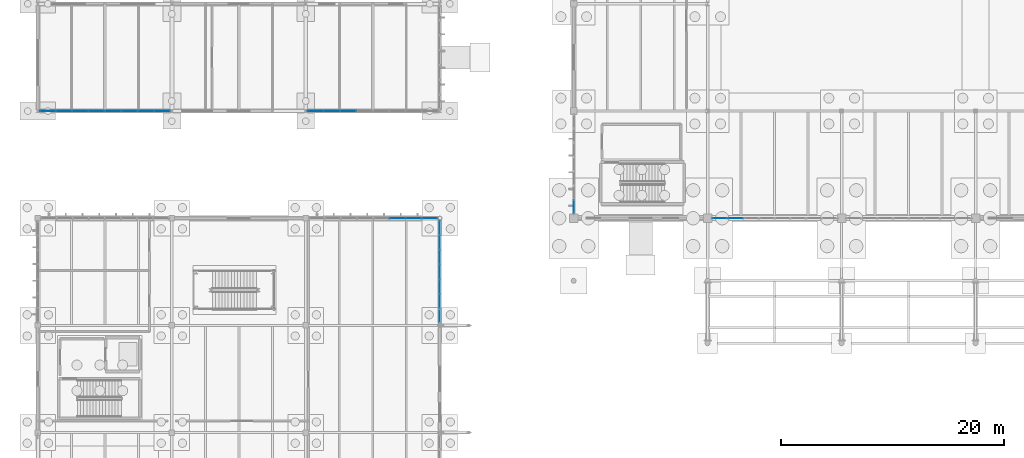
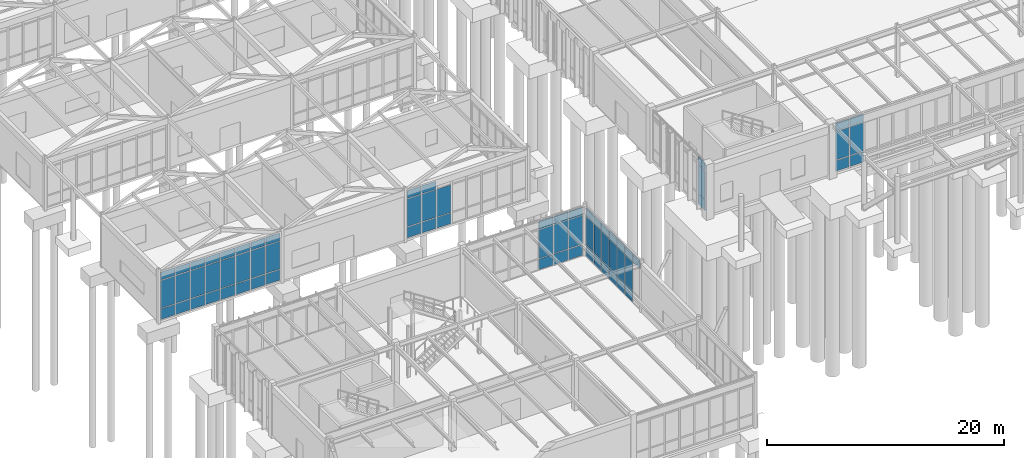
# One storey, part 130 of 188: 69 plates, 6 elements without a shape of their own.
"""IFC4 building model written with IfcOpenShell, lengths in metres."""

import ifcopenshell
import ifcopenshell.guid

model = None  # the IFC model being written
_history = None  # IfcOwnerHistory: only IFC2X3 demands one
_inside = {}  # id of a spatial element -> (the spatial element, [elements in it])
_under = {}  # id of a project, library or spatial element -> (it, [spatial elements below it])
_declared = {}  # id of a project -> (the project, [libraries it declares])
_typed = {}  # id of a type object -> (the type object, [elements of that type])
_made_of = {}  # id of a material, layer set ... -> (it, [elements and type objects made of it])


def new_model(schema):
    """Start an empty IFC model of exactly this schema.

    Asked for "IFC4X3", IfcOpenShell would pick the latest addendum, in which some entities
    have other attributes; the version numbers below select the first issue.
    IFC2X3 requires an IfcOwnerHistory on every rooted entity: one is made here for all.
    """
    global model, _history
    if schema == "IFC4X3":
        model = ifcopenshell.file(schema_version=(4, 3, 0, 0))
    else:
        model = ifcopenshell.file(schema=schema)
    _inside.clear()
    _under.clear()
    _declared.clear()
    _typed.clear()
    _made_of.clear()
    _history = None
    if model.schema == "IFC2X3":
        org = make("IfcOrganization", Name="unknown")
        user = make(
            "IfcPersonAndOrganization",
            ThePerson=make("IfcPerson", FamilyName="unknown"),
            TheOrganization=org,
        )
        app = make(
            "IfcApplication",
            ApplicationDeveloper=org,
            Version="unknown",
            ApplicationFullName="unknown",
            ApplicationIdentifier="unknown",
        )
        _history = make(
            "IfcOwnerHistory",
            OwningUser=user,
            OwningApplication=app,
            ChangeAction="ADDED",
            CreationDate=0,
        )
    return model


def make(cls, **values):
    """One entity of the class cls with the attributes given. An attribute that is None is left unset."""
    return model.create_entity(
        cls, **{name: value for name, value in values.items() if value is not None}
    )


def rooted(cls, **values):
    """An entity with a GlobalId (a new one), such as an element, a storey or a relation."""
    return make(cls, GlobalId=ifcopenshell.guid.new(), OwnerHistory=_history, **values)


def si_unit(unit_type, name, prefix=None):
    """IfcSIUnit, for example si_unit("LENGTHUNIT", "METRE", prefix="MILLI")."""
    return make("IfcSIUnit", UnitType=unit_type, Prefix=prefix, Name=name)


def assignment(units):
    """IfcUnitAssignment: the units of a project."""
    return None if units is None else make("IfcUnitAssignment", Units=units)


def point(xyz):
    """IfcCartesianPoint."""
    return None if xyz is None else make("IfcCartesianPoint", Coordinates=xyz)


def direction(xyz):
    """IfcDirection."""
    return None if xyz is None else make("IfcDirection", DirectionRatios=xyz)


def frame(location, z_axis=None, x_axis=None):
    """IfcAxis2Placement3D, a coordinate frame: its origin and axes. An axis left out is left unset."""
    return make(
        "IfcAxis2Placement3D",
        Location=point(location),
        Axis=direction(z_axis),
        RefDirection=direction(x_axis),
    )


def frame_2d(location, x_axis=None):
    """IfcAxis2Placement2D, a coordinate frame in the plane: its origin and x axis."""
    return make(
        "IfcAxis2Placement2D", Location=point(location), RefDirection=direction(x_axis)
    )


def origin():
    """The frame at (0, 0, 0) with its axes left unset."""
    return frame((0.0, 0.0, 0.0))


def origin_2d():
    """The frame at (0, 0) in the plane with its x axis left unset."""
    return frame_2d((0.0, 0.0))


def place(relative_to, where):
    """IfcLocalPlacement: puts the frame where relative to a parent placement (None: the world)."""
    return make(
        "IfcLocalPlacement", PlacementRelTo=relative_to, RelativePlacement=where
    )


def context(
    kind, dimensions, precision=None, world=None, true_north=None, identifier=None
):
    """IfcGeometricRepresentationContext, for example the 3D "Model" context."""
    return make(
        "IfcGeometricRepresentationContext",
        ContextIdentifier=identifier,
        ContextType=kind,
        CoordinateSpaceDimension=dimensions,
        Precision=precision,
        WorldCoordinateSystem=world,
        TrueNorth=true_north,
    )


def subcontext(parent, identifier, kind, view, scale=None):
    """IfcGeometricRepresentationSubContext, for example "Body" below "Model"."""
    return make(
        "IfcGeometricRepresentationSubContext",
        ContextIdentifier=identifier,
        ContextType=kind,
        ParentContext=parent,
        TargetScale=scale,
        TargetView=view,
    )


def project(units=None, contexts=None):
    """IfcProject with its units and contexts."""
    return rooted(
        "IfcProject",
        Name="project",
        RepresentationContexts=contexts,
        UnitsInContext=assignment(units),
    )


def spatial(cls, under=None, at=None, **own):
    """A site, building, storey or space (cls), placed at a placement, below another one or the project."""
    s = rooted(cls, ObjectPlacement=at, **own)
    if under is not None:
        _under.setdefault(under.id(), (under, []))[1].append(s)
    return s


def profile(cls, at=None, kind="AREA", **sizes):
    """A parametric profile (cls). Its sizes go by their IFC names, for example OverallWidth=200.0."""
    return make(cls, ProfileType=kind, Position=at, **sizes)


def rectangle(**sizes):
    """IfcRectangleProfileDef."""
    return profile("IfcRectangleProfileDef", **sizes)


def extrude(swept, where, along, depth):
    """IfcExtrudedAreaSolid: the profile swept, set in the frame where, extruded along a direction by depth."""
    return make(
        "IfcExtrudedAreaSolid",
        SweptArea=swept,
        Position=where,
        ExtrudedDirection=direction(along),
        Depth=depth,
    )


def shape(context_of_items, identifier, shape_type, items):
    """IfcShapeRepresentation: the items that make up one representation, for example the "Body"."""
    return make(
        "IfcShapeRepresentation",
        ContextOfItems=context_of_items,
        RepresentationIdentifier=identifier,
        RepresentationType=shape_type,
        Items=items,
    )


def material(Name=None, Category=None):
    """IfcMaterial."""
    return make("IfcMaterial", Name=Name, Category=Category)


def layer(
    of_material, thickness, ventilated=None, Name=None, Category=None, Priority=None
):
    """IfcMaterialLayer: one layer of a wall or slab, of a material (None: an air gap)."""
    return make(
        "IfcMaterialLayer",
        Material=of_material,
        LayerThickness=thickness,
        IsVentilated=ventilated,
        Name=Name,
        Category=Category,
        Priority=Priority,
    )


def layer_set(layers, Name=None):
    """IfcMaterialLayerSet."""
    return make("IfcMaterialLayerSet", MaterialLayers=layers, LayerSetName=Name)


def made_of(thing, what):
    """Note that an element or type object is made of a material, layer set ...; save() writes the relation."""
    if what is not None:
        _made_of.setdefault(what.id(), (what, []))[1].append(thing)
    return thing


def type_object(cls, material=None, **own):
    """A type object (cls), such as IfcWallType, which elements share."""
    return made_of(rooted(cls, **own), material)


def element(
    cls,
    number,
    at=None,
    inside=None,
    cuts=None,
    type_object=None,
    material=None,
    context=None,
    identifier="Body",
    shape_type=None,
    held_by="IfcProductDefinitionShape",
    body=None,
    shapes=None,
    **own,
):
    """One element of the class cls, such as IfcWall. Its Tag is "e" and its number.

    at: its placement. inside: the storey or other place that contains it. cuts: it is an
    opening in that element (IfcRelVoidsElement). A single representation is given by context,
    identifier, shape_type and body (its items); several are given by shapes. held_by: the class
    of the entity that holds the representations. save() writes the other relations.
    """
    e = rooted(cls, Tag="e%d" % number, ObjectPlacement=at, **own)
    if body is not None:
        shapes = [shape(context, identifier, shape_type, body)]
    if shapes is not None:
        e.Representation = make(held_by, Representations=shapes)
    if inside is not None:
        _inside.setdefault(inside.id(), (inside, []))[1].append(e)
    if cuts is not None:
        rooted(
            "IfcRelVoidsElement", RelatingBuildingElement=cuts, RelatedOpeningElement=e
        )
    if type_object is not None:
        _typed.setdefault(type_object.id(), (type_object, []))[1].append(e)
    return made_of(e, material)


def aggregate(whole, parts):
    """IfcRelAggregates: a whole, such as a stair, and the parts it consists of."""
    return rooted("IfcRelAggregates", RelatingObject=whole, RelatedObjects=parts)


def save(model, path):
    """Write the relations noted so far, then the file.

    IfcRelAggregates (storeys below a building ...), IfcRelContainedInSpatialStructure (elements
    in a storey), IfcRelDefinesByType, IfcRelAssociatesMaterial and IfcRelDeclares: one each for
    every whole, place, type object, material and project.
    """
    for whole, parts in _under.values():
        aggregate(whole, parts)
    for where, things in _inside.values():
        rooted(
            "IfcRelContainedInSpatialStructure",
            RelatedElements=things,
            RelatingStructure=where,
        )
    for kind, things in _typed.values():
        rooted("IfcRelDefinesByType", RelatedObjects=things, RelatingType=kind)
    for what, things in _made_of.values():
        rooted("IfcRelAssociatesMaterial", RelatedObjects=things, RelatingMaterial=what)
    for by, libraries in _declared.values():
        rooted("IfcRelDeclares", RelatingContext=by, RelatedDefinitions=libraries)
    model.write(path)


model = new_model("IFC4")

# Units and contexts
model_context = context("Model", 3, precision=1e-05, world=origin(), true_north=direction((0.0, 1.0)))
body_context = subcontext(model_context, "Body", "Model", "MODEL_VIEW")
ifc_project = project(units=[si_unit("LENGTHUNIT", "METRE"), si_unit("AREAUNIT", "SQUARE_METRE"), si_unit("VOLUMEUNIT", "CUBIC_METRE"), si_unit("PLANEANGLEUNIT", "RADIAN"), si_unit("MASSUNIT", "GRAM", prefix="KILO")], contexts=[model_context])

# Site, building, storey
site_placement = place(None, origin())
site = spatial("IfcSite", under=ifc_project, at=site_placement, CompositionType="ELEMENT")
building_placement = place(site_placement, origin())
building = spatial("IfcBuilding", under=site, at=building_placement, Name="Pandanus Reach Market Hall", CompositionType="ELEMENT")
storey_placement = place(building_placement, origin())
storey = spatial("IfcBuildingStorey", under=building, at=storey_placement, Name="L00", CompositionType="ELEMENT", Elevation=0.0)

# Curtain wall, plates
ifc_material_1 = material(Name="Bronze anodised aluminium and low-E glass", Category="aluminium")
ifc_layer_1 = layer(ifc_material_1, 0.159912109375, Name="CW-07")
ifc_layer_set_1 = layer_set([ifc_layer_1], Name="Bronze anodised aluminium and low-E glass")
curtain_wall_type_1 = type_object("IfcCurtainWallType", Name="CW-07", PredefinedType="NOTDEFINED", material=ifc_layer_set_1)
curtain_wall_1_placement = place(storey_placement, origin())
curtain_wall_1 = element("IfcCurtainWall", 1, at=curtain_wall_1_placement, inside=storey, type_object=curtain_wall_type_1, Name="Glazed curtain wall CW-07 CW-0038", PredefinedType="NOTDEFINED")
ifc_material_2 = material(Name="Solar-control double glazing", Category="glass")
ifc_layer_2 = layer(ifc_material_2, 0.028076171875, Name="CW-P1")
ifc_layer_set_2 = layer_set([ifc_layer_2], Name="Solar-control double glazing")
plate_type_1 = type_object("IfcPlateType", Name="CW-P1", PredefinedType="CURTAIN_PANEL", material=ifc_layer_set_2)
plate_1_placement = place(storey_placement, frame((0.87744140625, 38.39990234375, 0.06494140625), z_axis=(0.0, 0.0, 1.0), x_axis=(1.0, 0.0, 0.0)))
plate_1 = element("IfcPlate", 2, at=plate_1_placement, type_object=plate_type_1, Name="CW-07 panel 1.1", PredefinedType="CURTAIN_PANEL", context=body_context, shape_type="SweptSolid", body=[
    extrude(rectangle(XDim=1.370849609375, YDim=0.028076171875, at=origin_2d()), origin(), (0.0, 0.0, 1.0), 1.1025390625),
])
plate_2_placement = place(storey_placement, frame((0.87744140625, 38.39990234375, 1.232421875), z_axis=(0.0, 0.0, 1.0), x_axis=(1.0, 0.0, 0.0)))
plate_2 = element("IfcPlate", 3, at=plate_2_placement, type_object=plate_type_1, Name="CW-07 panel 1.2", PredefinedType="CURTAIN_PANEL", context=body_context, shape_type="SweptSolid", body=[
    extrude(rectangle(XDim=1.370849609375, YDim=0.028076171875, at=origin_2d()), origin(), (0.0, 0.0, 1.0), 2.8349609375),
])
plate_3_placement = place(storey_placement, frame((0.87744140625, 38.39990234375, 4.13232421875), z_axis=(0.0, 0.0, 1.0), x_axis=(1.0, 0.0, 0.0)))
plate_3 = element("IfcPlate", 4, at=plate_3_placement, type_object=plate_type_1, Name="CW-07 panel 1.3", PredefinedType="CURTAIN_PANEL", context=body_context, shape_type="SweptSolid", body=[
    extrude(rectangle(XDim=1.370849609375, YDim=0.028076171875, at=origin_2d()), origin(), (0.0, 0.0, 1.0), 0.802490234375),
])
plate_4_placement = place(storey_placement, frame((2.329345703125, 38.39990234375, 0.06494140625), z_axis=(0.0, 0.0, 1.0), x_axis=(1.0, 0.0, 0.0)))
plate_4 = element("IfcPlate", 5, at=plate_4_placement, type_object=plate_type_1, Name="CW-07 panel 2.1", PredefinedType="CURTAIN_PANEL", context=body_context, shape_type="SweptSolid", body=[
    extrude(rectangle(XDim=1.4033203125, YDim=0.028076171875, at=origin_2d()), origin(), (0.0, 0.0, 1.0), 1.1025390625),
])
plate_5_placement = place(storey_placement, frame((2.329345703125, 38.39990234375, 1.232421875), z_axis=(0.0, 0.0, 1.0), x_axis=(1.0, 0.0, 0.0)))
plate_5 = element("IfcPlate", 6, at=plate_5_placement, type_object=plate_type_1, Name="CW-07 panel 2.2", PredefinedType="CURTAIN_PANEL", context=body_context, shape_type="SweptSolid", body=[
    extrude(rectangle(XDim=1.4033203125, YDim=0.028076171875, at=origin_2d()), origin(), (0.0, 0.0, 1.0), 2.8349609375),
])
plate_6_placement = place(storey_placement, frame((2.329345703125, 38.39990234375, 4.13232421875), z_axis=(0.0, 0.0, 1.0), x_axis=(1.0, 0.0, 0.0)))
plate_6 = element("IfcPlate", 7, at=plate_6_placement, type_object=plate_type_1, Name="CW-07 panel 2.3", PredefinedType="CURTAIN_PANEL", context=body_context, shape_type="SweptSolid", body=[
    extrude(rectangle(XDim=1.4033203125, YDim=0.028076171875, at=origin_2d()), origin(), (0.0, 0.0, 1.0), 0.802490234375),
])
plate_7_placement = place(storey_placement, frame((3.797607421875, 38.39990234375, 0.06494140625), z_axis=(0.0, 0.0, 1.0), x_axis=(1.0, 0.0, 0.0)))
plate_7 = element("IfcPlate", 8, at=plate_7_placement, type_object=plate_type_1, Name="CW-07 panel 3.1", PredefinedType="CURTAIN_PANEL", context=body_context, shape_type="SweptSolid", body=[
    extrude(rectangle(XDim=1.4033203125, YDim=0.028076171875, at=origin_2d()), origin(), (0.0, 0.0, 1.0), 1.1025390625),
])
plate_8_placement = place(storey_placement, frame((3.797607421875, 38.39990234375, 1.232421875), z_axis=(0.0, 0.0, 1.0), x_axis=(1.0, 0.0, 0.0)))
plate_8 = element("IfcPlate", 9, at=plate_8_placement, type_object=plate_type_1, Name="CW-07 panel 3.2", PredefinedType="CURTAIN_PANEL", context=body_context, shape_type="SweptSolid", body=[
    extrude(rectangle(XDim=1.4033203125, YDim=0.028076171875, at=origin_2d()), origin(), (0.0, 0.0, 1.0), 2.8349609375),
])
plate_9_placement = place(storey_placement, frame((3.797607421875, 38.39990234375, 4.13232421875), z_axis=(0.0, 0.0, 1.0), x_axis=(1.0, 0.0, 0.0)))
plate_9 = element("IfcPlate", 10, at=plate_9_placement, type_object=plate_type_1, Name="CW-07 panel 3.3", PredefinedType="CURTAIN_PANEL", context=body_context, shape_type="SweptSolid", body=[
    extrude(rectangle(XDim=1.4033203125, YDim=0.028076171875, at=origin_2d()), origin(), (0.0, 0.0, 1.0), 0.802490234375),
])
plate_10_placement = place(storey_placement, frame((5.265869140625, 38.39990234375, 0.06494140625), z_axis=(0.0, 0.0, 1.0), x_axis=(1.0, 0.0, 0.0)))
plate_10 = element("IfcPlate", 11, at=plate_10_placement, type_object=plate_type_1, Name="CW-07 panel 4.1", PredefinedType="CURTAIN_PANEL", context=body_context, shape_type="SweptSolid", body=[
    extrude(rectangle(XDim=1.4033203125, YDim=0.028076171875, at=origin_2d()), origin(), (0.0, 0.0, 1.0), 1.1025390625),
])
plate_11_placement = place(storey_placement, frame((5.265869140625, 38.39990234375, 1.232421875), z_axis=(0.0, 0.0, 1.0), x_axis=(1.0, 0.0, 0.0)))
plate_11 = element("IfcPlate", 12, at=plate_11_placement, type_object=plate_type_1, Name="CW-07 panel 4.2", PredefinedType="CURTAIN_PANEL", context=body_context, shape_type="SweptSolid", body=[
    extrude(rectangle(XDim=1.4033203125, YDim=0.028076171875, at=origin_2d()), origin(), (0.0, 0.0, 1.0), 2.8349609375),
])
plate_12_placement = place(storey_placement, frame((5.265869140625, 38.39990234375, 4.13232421875), z_axis=(0.0, 0.0, 1.0), x_axis=(1.0, 0.0, 0.0)))
plate_12 = element("IfcPlate", 13, at=plate_12_placement, type_object=plate_type_1, Name="CW-07 panel 4.3", PredefinedType="CURTAIN_PANEL", context=body_context, shape_type="SweptSolid", body=[
    extrude(rectangle(XDim=1.4033203125, YDim=0.028076171875, at=origin_2d()), origin(), (0.0, 0.0, 1.0), 0.802490234375),
])
plate_13_placement = place(storey_placement, frame((6.734130859375, 38.39990234375, 0.06494140625), z_axis=(0.0, 0.0, 1.0), x_axis=(1.0, 0.0, 0.0)))
plate_13 = element("IfcPlate", 14, at=plate_13_placement, type_object=plate_type_1, Name="CW-07 panel 5.1", PredefinedType="CURTAIN_PANEL", context=body_context, shape_type="SweptSolid", body=[
    extrude(rectangle(XDim=1.4033203125, YDim=0.028076171875, at=origin_2d()), origin(), (0.0, 0.0, 1.0), 1.1025390625),
])
plate_14_placement = place(storey_placement, frame((6.734130859375, 38.39990234375, 1.232421875), z_axis=(0.0, 0.0, 1.0), x_axis=(1.0, 0.0, 0.0)))
plate_14 = element("IfcPlate", 15, at=plate_14_placement, type_object=plate_type_1, Name="CW-07 panel 5.2", PredefinedType="CURTAIN_PANEL", context=body_context, shape_type="SweptSolid", body=[
    extrude(rectangle(XDim=1.4033203125, YDim=0.028076171875, at=origin_2d()), origin(), (0.0, 0.0, 1.0), 2.8349609375),
])
plate_15_placement = place(storey_placement, frame((6.734130859375, 38.39990234375, 4.13232421875), z_axis=(0.0, 0.0, 1.0), x_axis=(1.0, 0.0, 0.0)))
plate_15 = element("IfcPlate", 16, at=plate_15_placement, type_object=plate_type_1, Name="CW-07 panel 5.3", PredefinedType="CURTAIN_PANEL", context=body_context, shape_type="SweptSolid", body=[
    extrude(rectangle(XDim=1.4033203125, YDim=0.028076171875, at=origin_2d()), origin(), (0.0, 0.0, 1.0), 0.802490234375),
])
plate_16_placement = place(storey_placement, frame((8.202392578125, 38.39990234375, 0.06494140625), z_axis=(0.0, 0.0, 1.0), x_axis=(1.0, 0.0, 0.0)))
plate_16 = element("IfcPlate", 17, at=plate_16_placement, type_object=plate_type_1, Name="CW-07 panel 6.1", PredefinedType="CURTAIN_PANEL", context=body_context, shape_type="SweptSolid", body=[
    extrude(rectangle(XDim=1.4033203125, YDim=0.028076171875, at=origin_2d()), origin(), (0.0, 0.0, 1.0), 1.1025390625),
])
plate_17_placement = place(storey_placement, frame((8.202392578125, 38.39990234375, 1.232421875), z_axis=(0.0, 0.0, 1.0), x_axis=(1.0, 0.0, 0.0)))
plate_17 = element("IfcPlate", 18, at=plate_17_placement, type_object=plate_type_1, Name="CW-07 panel 6.2", PredefinedType="CURTAIN_PANEL", context=body_context, shape_type="SweptSolid", body=[
    extrude(rectangle(XDim=1.4033203125, YDim=0.028076171875, at=origin_2d()), origin(), (0.0, 0.0, 1.0), 2.8349609375),
])
plate_18_placement = place(storey_placement, frame((8.202392578125, 38.39990234375, 4.13232421875), z_axis=(0.0, 0.0, 1.0), x_axis=(1.0, 0.0, 0.0)))
plate_18 = element("IfcPlate", 19, at=plate_18_placement, type_object=plate_type_1, Name="CW-07 panel 6.3", PredefinedType="CURTAIN_PANEL", context=body_context, shape_type="SweptSolid", body=[
    extrude(rectangle(XDim=1.4033203125, YDim=0.028076171875, at=origin_2d()), origin(), (0.0, 0.0, 1.0), 0.802490234375),
])
plate_19_placement = place(storey_placement, frame((9.670654296875, 38.39990234375, 0.06494140625), z_axis=(0.0, 0.0, 1.0), x_axis=(1.0, 0.0, 0.0)))
plate_19 = element("IfcPlate", 20, at=plate_19_placement, type_object=plate_type_1, Name="CW-07 panel 7.1", PredefinedType="CURTAIN_PANEL", context=body_context, shape_type="SweptSolid", body=[
    extrude(rectangle(XDim=1.4033203125, YDim=0.028076171875, at=origin_2d()), origin(), (0.0, 0.0, 1.0), 1.1025390625),
])
plate_20_placement = place(storey_placement, frame((9.670654296875, 38.39990234375, 1.232421875), z_axis=(0.0, 0.0, 1.0), x_axis=(1.0, 0.0, 0.0)))
plate_20 = element("IfcPlate", 21, at=plate_20_placement, type_object=plate_type_1, Name="CW-07 panel 7.2", PredefinedType="CURTAIN_PANEL", context=body_context, shape_type="SweptSolid", body=[
    extrude(rectangle(XDim=1.4033203125, YDim=0.028076171875, at=origin_2d()), origin(), (0.0, 0.0, 1.0), 2.8349609375),
])
plate_21_placement = place(storey_placement, frame((9.670654296875, 38.39990234375, 4.13232421875), z_axis=(0.0, 0.0, 1.0), x_axis=(1.0, 0.0, 0.0)))
plate_21 = element("IfcPlate", 22, at=plate_21_placement, type_object=plate_type_1, Name="CW-07 panel 7.3", PredefinedType="CURTAIN_PANEL", context=body_context, shape_type="SweptSolid", body=[
    extrude(rectangle(XDim=1.4033203125, YDim=0.028076171875, at=origin_2d()), origin(), (0.0, 0.0, 1.0), 0.802490234375),
])
plate_22_placement = place(storey_placement, frame((11.12255859375, 38.39990234375, 0.06494140625), z_axis=(0.0, 0.0, 1.0), x_axis=(1.0, 0.0, 0.0)))
plate_22 = element("IfcPlate", 23, at=plate_22_placement, type_object=plate_type_1, Name="CW-07 panel 8.1", PredefinedType="CURTAIN_PANEL", context=body_context, shape_type="SweptSolid", body=[
    extrude(rectangle(XDim=1.370849609375, YDim=0.028076171875, at=origin_2d()), origin(), (0.0, 0.0, 1.0), 1.1025390625),
])
plate_23_placement = place(storey_placement, frame((11.12255859375, 38.39990234375, 1.232421875), z_axis=(0.0, 0.0, 1.0), x_axis=(1.0, 0.0, 0.0)))
plate_23 = element("IfcPlate", 24, at=plate_23_placement, type_object=plate_type_1, Name="CW-07 panel 8.2", PredefinedType="CURTAIN_PANEL", context=body_context, shape_type="SweptSolid", body=[
    extrude(rectangle(XDim=1.370849609375, YDim=0.028076171875, at=origin_2d()), origin(), (0.0, 0.0, 1.0), 2.8349609375),
])
plate_24_placement = place(storey_placement, frame((11.12255859375, 38.39990234375, 4.13232421875), z_axis=(0.0, 0.0, 1.0), x_axis=(1.0, 0.0, 0.0)))
plate_24 = element("IfcPlate", 25, at=plate_24_placement, type_object=plate_type_1, Name="CW-07 panel 8.3", PredefinedType="CURTAIN_PANEL", context=body_context, shape_type="SweptSolid", body=[
    extrude(rectangle(XDim=1.370849609375, YDim=0.028076171875, at=origin_2d()), origin(), (0.0, 0.0, 1.0), 0.802490234375),
])
aggregate(curtain_wall_1, [plate_1, plate_2, plate_3, plate_4, plate_5, plate_6, plate_7, plate_8, plate_9, plate_10, plate_11, plate_12, plate_13, plate_14, plate_15, plate_16, plate_17, plate_18, plate_19, plate_20, plate_21, plate_22, plate_23, plate_24])

curtain_wall_2_placement = place(storey_placement, origin())
curtain_wall_2 = element("IfcCurtainWall", 26, at=curtain_wall_2_placement, inside=storey, type_object=curtain_wall_type_1, Name="Glazed curtain wall CW-07 CW-0039", PredefinedType="NOTDEFINED")
plate_25_placement = place(storey_placement, frame((24.87744140625, 38.39990234375, 0.06494140625), z_axis=(0.0, 0.0, 1.0), x_axis=(1.0, 0.0, 0.0)))
plate_25 = element("IfcPlate", 27, at=plate_25_placement, type_object=plate_type_1, Name="CW-07 panel 1.1", PredefinedType="CURTAIN_PANEL", context=body_context, shape_type="SweptSolid", body=[
    extrude(rectangle(XDim=1.370849609375, YDim=0.028076171875, at=origin_2d()), origin(), (0.0, 0.0, 1.0), 1.1025390625),
])
plate_26_placement = place(storey_placement, frame((24.87744140625, 38.39990234375, 1.232421875), z_axis=(0.0, 0.0, 1.0), x_axis=(1.0, 0.0, 0.0)))
plate_26 = element("IfcPlate", 28, at=plate_26_placement, type_object=plate_type_1, Name="CW-07 panel 1.2", PredefinedType="CURTAIN_PANEL", context=body_context, shape_type="SweptSolid", body=[
    extrude(rectangle(XDim=1.370849609375, YDim=0.028076171875, at=origin_2d()), origin(), (0.0, 0.0, 1.0), 2.8349609375),
])
plate_27_placement = place(storey_placement, frame((24.87744140625, 38.39990234375, 4.13232421875), z_axis=(0.0, 0.0, 1.0), x_axis=(1.0, 0.0, 0.0)))
plate_27 = element("IfcPlate", 29, at=plate_27_placement, type_object=plate_type_1, Name="CW-07 panel 1.3", PredefinedType="CURTAIN_PANEL", context=body_context, shape_type="SweptSolid", body=[
    extrude(rectangle(XDim=1.370849609375, YDim=0.028076171875, at=origin_2d()), origin(), (0.0, 0.0, 1.0), 0.802490234375),
])
plate_28_placement = place(storey_placement, frame((26.329345703125, 38.39990234375, 0.06494140625), z_axis=(0.0, 0.0, 1.0), x_axis=(1.0, 0.0, 0.0)))
plate_28 = element("IfcPlate", 30, at=plate_28_placement, type_object=plate_type_1, Name="CW-07 panel 2.1", PredefinedType="CURTAIN_PANEL", context=body_context, shape_type="SweptSolid", body=[
    extrude(rectangle(XDim=1.4033203125, YDim=0.028076171875, at=origin_2d()), origin(), (0.0, 0.0, 1.0), 1.1025390625),
])
plate_29_placement = place(storey_placement, frame((26.329345703125, 38.39990234375, 1.232421875), z_axis=(0.0, 0.0, 1.0), x_axis=(1.0, 0.0, 0.0)))
plate_29 = element("IfcPlate", 31, at=plate_29_placement, type_object=plate_type_1, Name="CW-07 panel 2.2", PredefinedType="CURTAIN_PANEL", context=body_context, shape_type="SweptSolid", body=[
    extrude(rectangle(XDim=1.4033203125, YDim=0.028076171875, at=origin_2d()), origin(), (0.0, 0.0, 1.0), 2.8349609375),
])
plate_30_placement = place(storey_placement, frame((26.329345703125, 38.39990234375, 4.13232421875), z_axis=(0.0, 0.0, 1.0), x_axis=(1.0, 0.0, 0.0)))
plate_30 = element("IfcPlate", 32, at=plate_30_placement, type_object=plate_type_1, Name="CW-07 panel 2.3", PredefinedType="CURTAIN_PANEL", context=body_context, shape_type="SweptSolid", body=[
    extrude(rectangle(XDim=1.4033203125, YDim=0.028076171875, at=origin_2d()), origin(), (0.0, 0.0, 1.0), 0.802490234375),
])
plate_31_placement = place(storey_placement, frame((27.797607421875, 38.39990234375, 0.06494140625), z_axis=(0.0, 0.0, 1.0), x_axis=(1.0, 0.0, 0.0)))
plate_31 = element("IfcPlate", 33, at=plate_31_placement, type_object=plate_type_1, Name="CW-07 panel 3.1", PredefinedType="CURTAIN_PANEL", context=body_context, shape_type="SweptSolid", body=[
    extrude(rectangle(XDim=1.4033203125, YDim=0.028076171875, at=origin_2d()), origin(), (0.0, 0.0, 1.0), 1.1025390625),
])
plate_32_placement = place(storey_placement, frame((27.797607421875, 38.39990234375, 1.232421875), z_axis=(0.0, 0.0, 1.0), x_axis=(1.0, 0.0, 0.0)))
plate_32 = element("IfcPlate", 34, at=plate_32_placement, type_object=plate_type_1, Name="CW-07 panel 3.2", PredefinedType="CURTAIN_PANEL", context=body_context, shape_type="SweptSolid", body=[
    extrude(rectangle(XDim=1.4033203125, YDim=0.028076171875, at=origin_2d()), origin(), (0.0, 0.0, 1.0), 2.8349609375),
])
aggregate(curtain_wall_2, [plate_25, plate_26, plate_27, plate_28, plate_29, plate_30, plate_31, plate_32])

ifc_layer_3 = layer(ifc_material_1, 0.159912109375, Name="CW-12")
ifc_layer_set_3 = layer_set([ifc_layer_3], Name="Bronze anodised aluminium and low-E glass")
curtain_wall_type_2 = type_object("IfcCurtainWallType", Name="CW-12", PredefinedType="NOTDEFINED", material=ifc_layer_set_3)
curtain_wall_3_placement = place(storey_placement, origin())
curtain_wall_3 = element("IfcCurtainWall", 35, at=curtain_wall_3_placement, inside=storey, type_object=curtain_wall_type_2, Name="Glazed curtain wall CW-12 CW-0050", PredefinedType="NOTDEFINED")
plate_33_placement = place(storey_placement, frame((32.205810546875, 28.800048828125, 0.06494140625), z_axis=(0.0, 0.0, 1.0), x_axis=(1.0, 0.0, 0.0)))
plate_33 = element("IfcPlate", 36, at=plate_33_placement, type_object=plate_type_1, Name="CW-12 panel 6.1", PredefinedType="CURTAIN_PANEL", context=body_context, shape_type="SweptSolid", body=[
    extrude(rectangle(XDim=1.381591796875, YDim=0.028076171875, at=origin_2d()), origin(), (0.0, 0.0, 1.0), 1.1025390625),
])
plate_34_placement = place(storey_placement, frame((32.205810546875, 28.800048828125, 1.232421875), z_axis=(0.0, 0.0, 1.0), x_axis=(1.0, 0.0, 0.0)))
plate_34 = element("IfcPlate", 37, at=plate_34_placement, type_object=plate_type_1, Name="CW-12 panel 6.2", PredefinedType="CURTAIN_PANEL", context=body_context, shape_type="SweptSolid", body=[
    extrude(rectangle(XDim=1.381591796875, YDim=0.028076171875, at=origin_2d()), origin(), (0.0, 0.0, 1.0), 2.93505859375),
])
plate_35_placement = place(storey_placement, frame((32.205810546875, 28.800048828125, 4.232421875), z_axis=(0.0, 0.0, 1.0), x_axis=(1.0, 0.0, 0.0)))
plate_35 = element("IfcPlate", 38, at=plate_35_placement, type_object=plate_type_1, Name="CW-12 panel 6.3", PredefinedType="CURTAIN_PANEL", context=body_context, shape_type="SweptSolid", body=[
    extrude(rectangle(XDim=1.381591796875, YDim=0.028076171875, at=origin_2d()), origin(), (0.0, 0.0, 1.0), 0.802490234375),
])
plate_36_placement = place(storey_placement, frame((33.65234375, 28.800048828125, 0.06494140625), z_axis=(0.0, 0.0, 1.0), x_axis=(1.0, 0.0, 0.0)))
plate_36 = element("IfcPlate", 39, at=plate_36_placement, type_object=plate_type_1, Name="CW-12 panel 7.1", PredefinedType="CURTAIN_PANEL", context=body_context, shape_type="SweptSolid", body=[
    extrude(rectangle(XDim=1.381591796875, YDim=0.028076171875, at=origin_2d()), origin(), (0.0, 0.0, 1.0), 1.1025390625),
])
plate_37_placement = place(storey_placement, frame((33.65234375, 28.800048828125, 1.232421875), z_axis=(0.0, 0.0, 1.0), x_axis=(1.0, 0.0, 0.0)))
plate_37 = element("IfcPlate", 40, at=plate_37_placement, type_object=plate_type_1, Name="CW-12 panel 7.2", PredefinedType="CURTAIN_PANEL", context=body_context, shape_type="SweptSolid", body=[
    extrude(rectangle(XDim=1.381591796875, YDim=0.028076171875, at=origin_2d()), origin(), (0.0, 0.0, 1.0), 2.93505859375),
])
plate_38_placement = place(storey_placement, frame((33.65234375, 28.800048828125, 4.232421875), z_axis=(0.0, 0.0, 1.0), x_axis=(1.0, 0.0, 0.0)))
plate_38 = element("IfcPlate", 41, at=plate_38_placement, type_object=plate_type_1, Name="CW-12 panel 7.3", PredefinedType="CURTAIN_PANEL", context=body_context, shape_type="SweptSolid", body=[
    extrude(rectangle(XDim=1.381591796875, YDim=0.028076171875, at=origin_2d()), origin(), (0.0, 0.0, 1.0), 0.802490234375),
])
plate_39_placement = place(storey_placement, frame((35.082763671875, 28.800048828125, 0.06494140625), z_axis=(0.0, 0.0, 1.0), x_axis=(1.0, 0.0, 0.0)))
plate_39 = element("IfcPlate", 42, at=plate_39_placement, type_object=plate_type_1, Name="CW-12 panel 8.1", PredefinedType="CURTAIN_PANEL", context=body_context, shape_type="SweptSolid", body=[
    extrude(rectangle(XDim=1.34912109375, YDim=0.028076171875, at=origin_2d()), origin(), (0.0, 0.0, 1.0), 1.1025390625),
])
plate_40_placement = place(storey_placement, frame((35.082763671875, 28.800048828125, 1.232421875), z_axis=(0.0, 0.0, 1.0), x_axis=(1.0, 0.0, 0.0)))
plate_40 = element("IfcPlate", 43, at=plate_40_placement, type_object=plate_type_1, Name="CW-12 panel 8.2", PredefinedType="CURTAIN_PANEL", context=body_context, shape_type="SweptSolid", body=[
    extrude(rectangle(XDim=1.34912109375, YDim=0.028076171875, at=origin_2d()), origin(), (0.0, 0.0, 1.0), 2.93505859375),
])
plate_41_placement = place(storey_placement, frame((35.082763671875, 28.800048828125, 4.232421875), z_axis=(0.0, 0.0, 1.0), x_axis=(1.0, 0.0, 0.0)))
plate_41 = element("IfcPlate", 44, at=plate_41_placement, type_object=plate_type_1, Name="CW-12 panel 8.3", PredefinedType="CURTAIN_PANEL", context=body_context, shape_type="SweptSolid", body=[
    extrude(rectangle(XDim=1.34912109375, YDim=0.028076171875, at=origin_2d()), origin(), (0.0, 0.0, 1.0), 0.802490234375),
])
aggregate(curtain_wall_3, [plate_33, plate_34, plate_35, plate_36, plate_37, plate_38, plate_39, plate_40, plate_41])

ifc_layer_4 = layer(ifc_material_1, 0.159912109375, Name="CW-14")
ifc_layer_set_4 = layer_set([ifc_layer_4], Name="Bronze anodised aluminium and low-E glass")
curtain_wall_type_3 = type_object("IfcCurtainWallType", Name="CW-14", PredefinedType="NOTDEFINED", material=ifc_layer_set_4)
curtain_wall_4_placement = place(storey_placement, origin())
curtain_wall_4 = element("IfcCurtainWall", 45, at=curtain_wall_4_placement, inside=storey, type_object=curtain_wall_type_3, Name="Glazed curtain wall CW-14 CW-0053", PredefinedType="NOTDEFINED")
plate_42_placement = place(storey_placement, frame((36.0, 20.054443359375, 4.232421875), z_axis=(0.0, 0.0, 1.0), x_axis=(0.0, 1.0, 0.0)))
plate_42 = element("IfcPlate", 46, at=plate_42_placement, type_object=plate_type_1, Name="CW-14 panel 1.3", PredefinedType="CURTAIN_PANEL", context=body_context, shape_type="SweptSolid", body=[
    extrude(rectangle(XDim=1.22314453125, YDim=0.028076171875, at=origin_2d()), origin(), (0.0, 0.0, 1.0), 0.802490234375),
])
plate_43_placement = place(storey_placement, frame((36.0, 21.358642578125, 0.06494140625), z_axis=(0.0, 0.0, 1.0), x_axis=(0.0, 1.0, 0.0)))
plate_43 = element("IfcPlate", 47, at=plate_43_placement, type_object=plate_type_1, Name="CW-14 panel 2.1", PredefinedType="CURTAIN_PANEL", context=body_context, shape_type="SweptSolid", body=[
    extrude(rectangle(XDim=1.255615234375, YDim=0.028076171875, at=origin_2d()), origin(), (0.0, 0.0, 1.0), 1.1025390625),
])
plate_44_placement = place(storey_placement, frame((36.0, 21.358642578125, 1.232421875), z_axis=(0.0, 0.0, 1.0), x_axis=(0.0, 1.0, 0.0)))
plate_44 = element("IfcPlate", 48, at=plate_44_placement, type_object=plate_type_1, Name="CW-14 panel 2.2", PredefinedType="CURTAIN_PANEL", context=body_context, shape_type="SweptSolid", body=[
    extrude(rectangle(XDim=1.255615234375, YDim=0.028076171875, at=origin_2d()), origin(), (0.0, 0.0, 1.0), 2.93505859375),
])
plate_45_placement = place(storey_placement, frame((36.0, 21.358642578125, 4.232421875), z_axis=(0.0, 0.0, 1.0), x_axis=(0.0, 1.0, 0.0)))
plate_45 = element("IfcPlate", 49, at=plate_45_placement, type_object=plate_type_1, Name="CW-14 panel 2.3", PredefinedType="CURTAIN_PANEL", context=body_context, shape_type="SweptSolid", body=[
    extrude(rectangle(XDim=1.255615234375, YDim=0.028076171875, at=origin_2d()), origin(), (0.0, 0.0, 1.0), 0.802490234375),
])
plate_46_placement = place(storey_placement, frame((36.0, 22.679443359375, 0.06494140625), z_axis=(0.0, 0.0, 1.0), x_axis=(0.0, 1.0, 0.0)))
plate_46 = element("IfcPlate", 50, at=plate_46_placement, type_object=plate_type_1, Name="CW-14 panel 3.1", PredefinedType="CURTAIN_PANEL", context=body_context, shape_type="SweptSolid", body=[
    extrude(rectangle(XDim=1.255615234375, YDim=0.028076171875, at=origin_2d()), origin(), (0.0, 0.0, 1.0), 1.1025390625),
])
plate_47_placement = place(storey_placement, frame((36.0, 22.679443359375, 1.232421875), z_axis=(0.0, 0.0, 1.0), x_axis=(0.0, 1.0, 0.0)))
plate_47 = element("IfcPlate", 51, at=plate_47_placement, type_object=plate_type_1, Name="CW-14 panel 3.2", PredefinedType="CURTAIN_PANEL", context=body_context, shape_type="SweptSolid", body=[
    extrude(rectangle(XDim=1.255615234375, YDim=0.028076171875, at=origin_2d()), origin(), (0.0, 0.0, 1.0), 2.93505859375),
])
plate_48_placement = place(storey_placement, frame((36.0, 22.679443359375, 4.232421875), z_axis=(0.0, 0.0, 1.0), x_axis=(0.0, 1.0, 0.0)))
plate_48 = element("IfcPlate", 52, at=plate_48_placement, type_object=plate_type_1, Name="CW-14 panel 3.3", PredefinedType="CURTAIN_PANEL", context=body_context, shape_type="SweptSolid", body=[
    extrude(rectangle(XDim=1.255615234375, YDim=0.028076171875, at=origin_2d()), origin(), (0.0, 0.0, 1.0), 0.802490234375),
])
plate_49_placement = place(storey_placement, frame((36.0, 24.0, 0.06494140625), z_axis=(0.0, 0.0, 1.0), x_axis=(0.0, 1.0, 0.0)))
plate_49 = element("IfcPlate", 53, at=plate_49_placement, type_object=plate_type_1, Name="CW-14 panel 4.1", PredefinedType="CURTAIN_PANEL", context=body_context, shape_type="SweptSolid", body=[
    extrude(rectangle(XDim=1.255615234375, YDim=0.028076171875, at=origin_2d()), origin(), (0.0, 0.0, 1.0), 1.1025390625),
])
plate_50_placement = place(storey_placement, frame((36.0, 24.0, 1.232421875), z_axis=(0.0, 0.0, 1.0), x_axis=(0.0, 1.0, 0.0)))
plate_50 = element("IfcPlate", 54, at=plate_50_placement, type_object=plate_type_1, Name="CW-14 panel 4.2", PredefinedType="CURTAIN_PANEL", context=body_context, shape_type="SweptSolid", body=[
    extrude(rectangle(XDim=1.255615234375, YDim=0.028076171875, at=origin_2d()), origin(), (0.0, 0.0, 1.0), 2.93505859375),
])
plate_51_placement = place(storey_placement, frame((36.0, 24.0, 4.232421875), z_axis=(0.0, 0.0, 1.0), x_axis=(0.0, 1.0, 0.0)))
plate_51 = element("IfcPlate", 55, at=plate_51_placement, type_object=plate_type_1, Name="CW-14 panel 4.3", PredefinedType="CURTAIN_PANEL", context=body_context, shape_type="SweptSolid", body=[
    extrude(rectangle(XDim=1.255615234375, YDim=0.028076171875, at=origin_2d()), origin(), (0.0, 0.0, 1.0), 0.802490234375),
])
plate_52_placement = place(storey_placement, frame((36.0, 25.320556640625, 0.06494140625), z_axis=(0.0, 0.0, 1.0), x_axis=(0.0, 1.0, 0.0)))
plate_52 = element("IfcPlate", 56, at=plate_52_placement, type_object=plate_type_1, Name="CW-14 panel 5.1", PredefinedType="CURTAIN_PANEL", context=body_context, shape_type="SweptSolid", body=[
    extrude(rectangle(XDim=1.255615234375, YDim=0.028076171875, at=origin_2d()), origin(), (0.0, 0.0, 1.0), 1.1025390625),
])
plate_53_placement = place(storey_placement, frame((36.0, 25.320556640625, 1.232421875), z_axis=(0.0, 0.0, 1.0), x_axis=(0.0, 1.0, 0.0)))
plate_53 = element("IfcPlate", 57, at=plate_53_placement, type_object=plate_type_1, Name="CW-14 panel 5.2", PredefinedType="CURTAIN_PANEL", context=body_context, shape_type="SweptSolid", body=[
    extrude(rectangle(XDim=1.255615234375, YDim=0.028076171875, at=origin_2d()), origin(), (0.0, 0.0, 1.0), 2.93505859375),
])
plate_54_placement = place(storey_placement, frame((36.0, 25.320556640625, 4.232421875), z_axis=(0.0, 0.0, 1.0), x_axis=(0.0, 1.0, 0.0)))
plate_54 = element("IfcPlate", 58, at=plate_54_placement, type_object=plate_type_1, Name="CW-14 panel 5.3", PredefinedType="CURTAIN_PANEL", context=body_context, shape_type="SweptSolid", body=[
    extrude(rectangle(XDim=1.255615234375, YDim=0.028076171875, at=origin_2d()), origin(), (0.0, 0.0, 1.0), 0.802490234375),
])
plate_55_placement = place(storey_placement, frame((36.0, 26.641357421875, 0.06494140625), z_axis=(0.0, 0.0, 1.0), x_axis=(0.0, 1.0, 0.0)))
plate_55 = element("IfcPlate", 59, at=plate_55_placement, type_object=plate_type_1, Name="CW-14 panel 6.1", PredefinedType="CURTAIN_PANEL", context=body_context, shape_type="SweptSolid", body=[
    extrude(rectangle(XDim=1.255615234375, YDim=0.028076171875, at=origin_2d()), origin(), (0.0, 0.0, 1.0), 1.1025390625),
])
plate_56_placement = place(storey_placement, frame((36.0, 26.641357421875, 1.232421875), z_axis=(0.0, 0.0, 1.0), x_axis=(0.0, 1.0, 0.0)))
plate_56 = element("IfcPlate", 60, at=plate_56_placement, type_object=plate_type_1, Name="CW-14 panel 6.2", PredefinedType="CURTAIN_PANEL", context=body_context, shape_type="SweptSolid", body=[
    extrude(rectangle(XDim=1.255615234375, YDim=0.028076171875, at=origin_2d()), origin(), (0.0, 0.0, 1.0), 2.93505859375),
])
plate_57_placement = place(storey_placement, frame((36.0, 26.641357421875, 4.232421875), z_axis=(0.0, 0.0, 1.0), x_axis=(0.0, 1.0, 0.0)))
plate_57 = element("IfcPlate", 61, at=plate_57_placement, type_object=plate_type_1, Name="CW-14 panel 6.3", PredefinedType="CURTAIN_PANEL", context=body_context, shape_type="SweptSolid", body=[
    extrude(rectangle(XDim=1.255615234375, YDim=0.028076171875, at=origin_2d()), origin(), (0.0, 0.0, 1.0), 0.802490234375),
])
plate_58_placement = place(storey_placement, frame((36.0, 27.945556640625, 0.06494140625), z_axis=(0.0, 0.0, 1.0), x_axis=(0.0, 1.0, 0.0)))
plate_58 = element("IfcPlate", 62, at=plate_58_placement, type_object=plate_type_1, Name="CW-14 panel 7.1", PredefinedType="CURTAIN_PANEL", context=body_context, shape_type="SweptSolid", body=[
    extrude(rectangle(XDim=1.22314453125, YDim=0.028076171875, at=origin_2d()), origin(), (0.0, 0.0, 1.0), 1.1025390625),
])
plate_59_placement = place(storey_placement, frame((36.0, 27.945556640625, 1.232421875), z_axis=(0.0, 0.0, 1.0), x_axis=(0.0, 1.0, 0.0)))
plate_59 = element("IfcPlate", 63, at=plate_59_placement, type_object=plate_type_1, Name="CW-14 panel 7.2", PredefinedType="CURTAIN_PANEL", context=body_context, shape_type="SweptSolid", body=[
    extrude(rectangle(XDim=1.22314453125, YDim=0.028076171875, at=origin_2d()), origin(), (0.0, 0.0, 1.0), 2.93505859375),
])
plate_60_placement = place(storey_placement, frame((36.0, 27.945556640625, 4.232421875), z_axis=(0.0, 0.0, 1.0), x_axis=(0.0, 1.0, 0.0)))
plate_60 = element("IfcPlate", 64, at=plate_60_placement, type_object=plate_type_1, Name="CW-14 panel 7.3", PredefinedType="CURTAIN_PANEL", context=body_context, shape_type="SweptSolid", body=[
    extrude(rectangle(XDim=1.22314453125, YDim=0.028076171875, at=origin_2d()), origin(), (0.0, 0.0, 1.0), 0.802490234375),
])
aggregate(curtain_wall_4, [plate_42, plate_43, plate_44, plate_45, plate_46, plate_47, plate_48, plate_49, plate_50, plate_51, plate_52, plate_53, plate_54, plate_55, plate_56, plate_57, plate_58, plate_59, plate_60])

ifc_layer_5 = layer(ifc_material_1, 0.199951171875, Name="CW-01")
ifc_layer_set_5 = layer_set([ifc_layer_5], Name="Bronze anodised aluminium and low-E glass")
curtain_wall_type_4 = type_object("IfcCurtainWallType", Name="CW-01", PredefinedType="NOTDEFINED", material=ifc_layer_set_5)
curtain_wall_5_placement = place(storey_placement, origin())
curtain_wall_5 = element("IfcCurtainWall", 65, at=curtain_wall_5_placement, inside=storey, type_object=curtain_wall_type_4, Name="Glazed curtain wall CW-01 CW-0001", PredefinedType="NOTDEFINED")
ifc_material_3 = material(Name="Acoustic laminated solar double glazing", Category="glass")
ifc_layer_6 = layer(ifc_material_3, 0.031982421875, Name="CW-P2")
ifc_layer_set_6 = layer_set([ifc_layer_6], Name="Acoustic laminated solar double glazing")
plate_type_2 = type_object("IfcPlateType", Name="CW-P2", PredefinedType="CURTAIN_PANEL", material=ifc_layer_set_6)
plate_61_placement = place(storey_placement, frame((61.096923828125, 28.800048828125, 0.074951171875), z_axis=(0.0, 0.0, 1.0), x_axis=(1.0, 0.0, 0.0)))
plate_61 = element("IfcPlate", 66, at=plate_61_placement, type_object=plate_type_2, Name="CW-01 panel 1.1", PredefinedType="CURTAIN_PANEL", context=body_context, shape_type="SweptSolid", body=[
    extrude(rectangle(XDim=1.293701171875, YDim=0.031982421875, at=origin_2d()), origin(), (0.0, 0.0, 1.0), 1.08740234375),
])
plate_62_placement = place(storey_placement, frame((61.096923828125, 28.800048828125, 1.2373046875), z_axis=(0.0, 0.0, 1.0), x_axis=(1.0, 0.0, 0.0)))
plate_62 = element("IfcPlate", 67, at=plate_62_placement, type_object=plate_type_2, Name="CW-01 panel 1.2", PredefinedType="CURTAIN_PANEL", context=body_context, shape_type="SweptSolid", body=[
    extrude(rectangle(XDim=1.293701171875, YDim=0.031982421875, at=origin_2d()), origin(), (0.0, 0.0, 1.0), 2.925048828125),
])
plate_63_placement = place(storey_placement, frame((61.096923828125, 28.800048828125, 4.237548828125), z_axis=(0.0, 0.0, 1.0), x_axis=(1.0, 0.0, 0.0)))
plate_63 = element("IfcPlate", 68, at=plate_63_placement, type_object=plate_type_2, Name="CW-01 panel 1.3", PredefinedType="CURTAIN_PANEL", context=body_context, shape_type="SweptSolid", body=[
    extrude(rectangle(XDim=1.293701171875, YDim=0.031982421875, at=origin_2d()), origin(), (0.0, 0.0, 1.0), 0.78759765625),
])
plate_64_placement = place(storey_placement, frame((62.484375, 28.800048828125, 0.074951171875), z_axis=(0.0, 0.0, 1.0), x_axis=(1.0, 0.0, 0.0)))
plate_64 = element("IfcPlate", 69, at=plate_64_placement, type_object=plate_type_2, Name="CW-01 panel 2.1", PredefinedType="CURTAIN_PANEL", context=body_context, shape_type="SweptSolid", body=[
    extrude(rectangle(XDim=1.331298828125, YDim=0.031982421875, at=origin_2d()), origin(), (0.0, 0.0, 1.0), 1.08740234375),
])
plate_65_placement = place(storey_placement, frame((62.484375, 28.800048828125, 1.2373046875), z_axis=(0.0, 0.0, 1.0), x_axis=(1.0, 0.0, 0.0)))
plate_65 = element("IfcPlate", 70, at=plate_65_placement, type_object=plate_type_2, Name="CW-01 panel 2.2", PredefinedType="CURTAIN_PANEL", context=body_context, shape_type="SweptSolid", body=[
    extrude(rectangle(XDim=1.331298828125, YDim=0.031982421875, at=origin_2d()), origin(), (0.0, 0.0, 1.0), 2.925048828125),
])
plate_66_placement = place(storey_placement, frame((62.484375, 28.800048828125, 4.237548828125), z_axis=(0.0, 0.0, 1.0), x_axis=(1.0, 0.0, 0.0)))
plate_66 = element("IfcPlate", 71, at=plate_66_placement, type_object=plate_type_2, Name="CW-01 panel 2.3", PredefinedType="CURTAIN_PANEL", context=body_context, shape_type="SweptSolid", body=[
    extrude(rectangle(XDim=1.331298828125, YDim=0.031982421875, at=origin_2d()), origin(), (0.0, 0.0, 1.0), 0.78759765625),
])
aggregate(curtain_wall_5, [plate_61, plate_62, plate_63, plate_64, plate_65, plate_66])

ifc_layer_7 = layer(ifc_material_1, 0.199951171875, Name="CW-03")
ifc_layer_set_7 = layer_set([ifc_layer_7], Name="Bronze anodised aluminium and low-E glass")
curtain_wall_type_5 = type_object("IfcCurtainWallType", Name="CW-03", PredefinedType="NOTDEFINED", material=ifc_layer_set_7)
curtain_wall_6_placement = place(storey_placement, origin())
curtain_wall_6 = element("IfcCurtainWall", 72, at=curtain_wall_6_placement, inside=storey, type_object=curtain_wall_type_5, Name="Glazed curtain wall CW-03 CW-0018", PredefinedType="NOTDEFINED")
plate_67_placement = place(storey_placement, frame((48.0, 29.831298828125, 0.074951171875), z_axis=(0.0, 0.0, 1.0), x_axis=(0.0, 1.0, 0.0)))
plate_67 = element("IfcPlate", 73, at=plate_67_placement, type_object=plate_type_2, Name="CW-03 panel 1.1", PredefinedType="CURTAIN_PANEL", context=body_context, shape_type="SweptSolid", body=[
    extrude(rectangle(XDim=1.16259765625, YDim=0.031982421875, at=origin_2d()), origin(), (0.0, 0.0, 1.0), 1.08740234375),
])
plate_68_placement = place(storey_placement, frame((48.0, 29.831298828125, 1.2373046875), z_axis=(0.0, 0.0, 1.0), x_axis=(0.0, 1.0, 0.0)))
plate_68 = element("IfcPlate", 74, at=plate_68_placement, type_object=plate_type_2, Name="CW-03 panel 1.2", PredefinedType="CURTAIN_PANEL", context=body_context, shape_type="SweptSolid", body=[
    extrude(rectangle(XDim=1.16259765625, YDim=0.031982421875, at=origin_2d()), origin(), (0.0, 0.0, 1.0), 2.925048828125),
])
plate_69_placement = place(storey_placement, frame((48.0, 29.831298828125, 4.237548828125), z_axis=(0.0, 0.0, 1.0), x_axis=(0.0, 1.0, 0.0)))
plate_69 = element("IfcPlate", 75, at=plate_69_placement, type_object=plate_type_2, Name="CW-03 panel 1.3", PredefinedType="CURTAIN_PANEL", context=body_context, shape_type="SweptSolid", body=[
    extrude(rectangle(XDim=1.16259765625, YDim=0.031982421875, at=origin_2d()), origin(), (0.0, 0.0, 1.0), 0.78759765625),
])
aggregate(curtain_wall_6, [plate_67, plate_68, plate_69])

save(model, "model.ifc")
